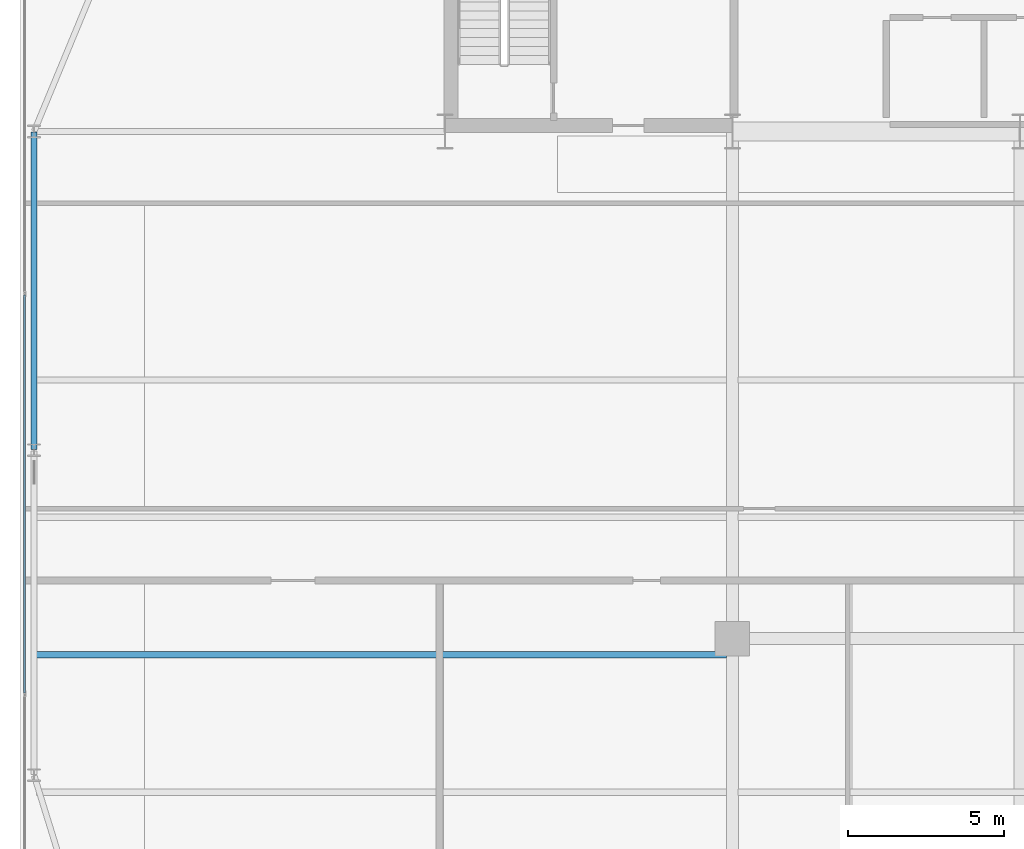
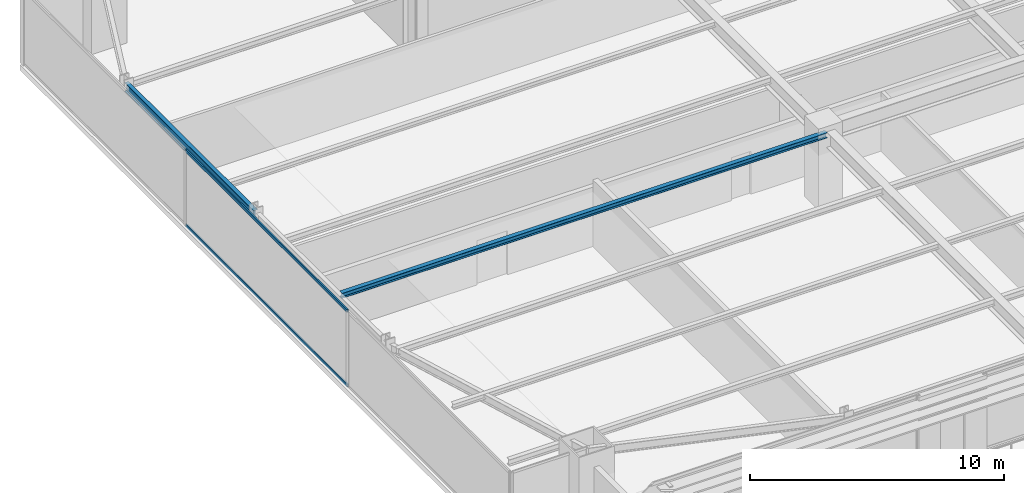
# One storey, part 9 of 31: 2 beams, 2 members, 1 element without a shape of its own.
"""IFC4 building model written with IfcOpenShell, lengths in metres."""

from ifc_helpers import new_model, si_unit, direction, frame, origin, origin_2d, place, context, subcontext, project, spatial, hollow_rectangle, i_section, extrude, source, transform, mapped, material, layer, layer_set, material_profile, profile_set, type_object, type_shapes, element, aggregate, save


model = new_model("IFC4")

# Units and contexts
model_context = context("Model", 3, precision=1e-05, world=origin(), true_north=direction((0.0, 1.0)))
body_context = subcontext(model_context, "Body", "Model", "MODEL_VIEW")
ifc_project = project(units=[si_unit("LENGTHUNIT", "METRE"), si_unit("AREAUNIT", "SQUARE_METRE"), si_unit("VOLUMEUNIT", "CUBIC_METRE"), si_unit("PLANEANGLEUNIT", "RADIAN"), si_unit("MASSUNIT", "GRAM", prefix="KILO")], contexts=[model_context])

# Site, building, storey
site_placement = place(None, origin())
site = spatial("IfcSite", under=ifc_project, at=site_placement, CompositionType="ELEMENT")
building_placement = place(site_placement, origin())
building = spatial("IfcBuilding", under=site, at=building_placement, Name="Varnel Quay Broadcast Tower", CompositionType="ELEMENT")
storey_placement = place(building_placement, frame((0.0, 0.0, 51.0)))
storey = spatial("IfcBuildingStorey", under=building, at=storey_placement, Name="L11", CompositionType="ELEMENT", Elevation=51.0)

# Beams
ifc_material_1 = material(Name="Structural Steel CSA G40.21 350W", Category="steel")
ifc_material_profile_1 = material_profile(ifc_material_1, i_section(OverallWidth=0.180908203125, OverallDepth=0.4169921875, WebThickness=0.010986328125, FlangeThickness=0.018310546875, FilletRadius=0.011962890625, at=origin_2d()), Name="W410X85")
ifc_profile_set_1 = profile_set([ifc_material_profile_1], Name="Structural Steel CSA G40.21 350W")
beam_type_1 = type_object("IfcBeamType", Name="Beam_W410X85", PredefinedType="SPANDREL", material=ifc_profile_set_1)
shared_shape_1 = source(origin(), body_context, "Body", "SweptSolid", [
    extrude(i_section(OverallWidth=0.180908203125, OverallDepth=0.4169921875, WebThickness=0.010986328125, FlangeThickness=0.018310546875, FilletRadius=0.011962890625, at=origin_2d()), origin(), (0.0, 0.0, 1.0), 10.16015625),
])
type_shapes(beam_type_1, [shared_shape_1])
beam_1_placement = place(storey_placement, frame((2.449951171875, 25.419921875, 3.44140625), z_axis=(0.0, 1.0, 0.0), x_axis=(-1.0, 0.0, 0.0)))
element("IfcBeam", 1, at=beam_1_placement, inside=storey, type_object=beam_type_1, Name="L11 West Spandrel TC-W2-TC-W3", PredefinedType="SPANDREL", context=body_context, shape_type="MappedRepresentation", body=[
    mapped(shared_shape_1, transform((0.0, 0.0, 0.0), x_axis=(1.0, 0.0, 0.0), y_axis=(0.0, 1.0, 0.0), z_axis=(0.0, 0.0, 1.0), scale=1.0)),
])
ifc_material_profile_2 = material_profile(ifc_material_1, i_section(OverallWidth=0.201904296875, OverallDepth=0.2470703125, WebThickness=0.00732421875, FlangeThickness=0.010986328125, FilletRadius=0.010986328125, at=origin_2d()), Name="W250X49")
ifc_profile_set_2 = profile_set([ifc_material_profile_2], Name="Structural Steel CSA G40.21 350W")
beam_type_2 = type_object("IfcBeamType", Name="Beam_W250X49", PredefinedType="JOIST", material=ifc_profile_set_2)
shared_shape_2 = source(origin(), body_context, "Body", "SweptSolid", [
    extrude(i_section(OverallWidth=0.201904296875, OverallDepth=0.2470703125, WebThickness=0.00732421875, FlangeThickness=0.010986328125, FilletRadius=0.010986328125, at=origin_2d()), origin(), (0.0, 0.0, 1.0), 22.0791015625),
])
type_shapes(beam_type_2, [shared_shape_2])
beam_2_placement = place(storey_placement, frame((2.535400390625, 18.85009765625, 3.526611328125), z_axis=(1.0, 0.0, 0.0), x_axis=(0.0, 1.0, 0.0)))
element("IfcBeam", 2, at=beam_2_placement, inside=storey, type_object=beam_type_2, Name="L11 West Floor Joist 4", PredefinedType="JOIST", context=body_context, shape_type="MappedRepresentation", body=[
    mapped(shared_shape_2, transform((0.0, 0.0, 0.0), x_axis=(1.0, 0.0, 0.0), y_axis=(0.0, 1.0, 0.0), z_axis=(0.0, 0.0, 1.0), scale=1.0)),
])

# Curtain wall, members
ifc_material_2 = material(Name="Anodised Bronze Aluminium 6063-T6", Category="aluminium")
ifc_layer = layer(ifc_material_2, 0.18994140625, Name="Anodised Bronze Aluminium 6063-T6")
ifc_layer_set = layer_set([ifc_layer], Name="Anodised Bronze Aluminium 6063-T6")
curtain_wall_type = type_object("IfcCurtainWallType", Name="CW_LowerTower", PredefinedType="NOTDEFINED", material=ifc_layer_set)
curtain_wall_placement = place(storey_placement, origin())
curtain_wall = element("IfcCurtainWall", 3, at=curtain_wall_placement, inside=storey, type_object=curtain_wall_type, Name="L11 West Unitised Curtain Wall", PredefinedType="NOTDEFINED")
ifc_material_profile_3 = material_profile(ifc_material_2, hollow_rectangle(XDim=0.06005859375, YDim=0.14501953125, WallThickness=0.00341796875, at=origin_2d()), Name="ALU60X145X3.5")
ifc_profile_set_3 = profile_set([ifc_material_profile_3], Name="Anodised Bronze Aluminium 6063-T6")
member_type = type_object("IfcMemberType", Name="Tran_CWS-02", PredefinedType="USERDEFINED", material=ifc_profile_set_3)
shared_shape_3 = source(origin(), body_context, "Body", "SweptSolid", [
    extrude(hollow_rectangle(XDim=0.06005859375, YDim=0.14501953125, WallThickness=0.00341796875, at=origin_2d()), origin(), (0.0, 0.0, 1.0), 12.72998046875),
])
type_shapes(member_type, [shared_shape_3])
member_1_placement = place(storey_placement, frame((2.14990234375, 17.635009765625, 0.030029296875), z_axis=(0.0, 1.0, 0.0), x_axis=(-1.0, 0.0, 0.0)))
member_1 = element("IfcMember", 4, at=member_1_placement, type_object=member_type, Name="CWS-02 transom 2.1", ObjectType="TRANSOM", PredefinedType="USERDEFINED", context=body_context, shape_type="MappedRepresentation", body=[
    mapped(shared_shape_3, transform((0.0, 0.0, 0.0), x_axis=(1.0, 0.0, 0.0), y_axis=(0.0, 1.0, 0.0), z_axis=(0.0, 0.0, 1.0), scale=1.0)),
])
member_2_placement = place(storey_placement, frame((2.14990234375, 17.635009765625, 3.6201171875), z_axis=(0.0, 1.0, 0.0), x_axis=(-1.0, 0.0, 0.0)))
member_2 = element("IfcMember", 5, at=member_2_placement, type_object=member_type, Name="CWS-02 transom 2.2", ObjectType="TRANSOM", PredefinedType="USERDEFINED", context=body_context, shape_type="MappedRepresentation", body=[
    mapped(shared_shape_3, transform((0.0, 0.0, 0.0), x_axis=(1.0, 0.0, 0.0), y_axis=(0.0, 1.0, 0.0), z_axis=(0.0, 0.0, 1.0), scale=1.0)),
])
aggregate(curtain_wall, [member_1, member_2])

save(model, "model.ifc")
